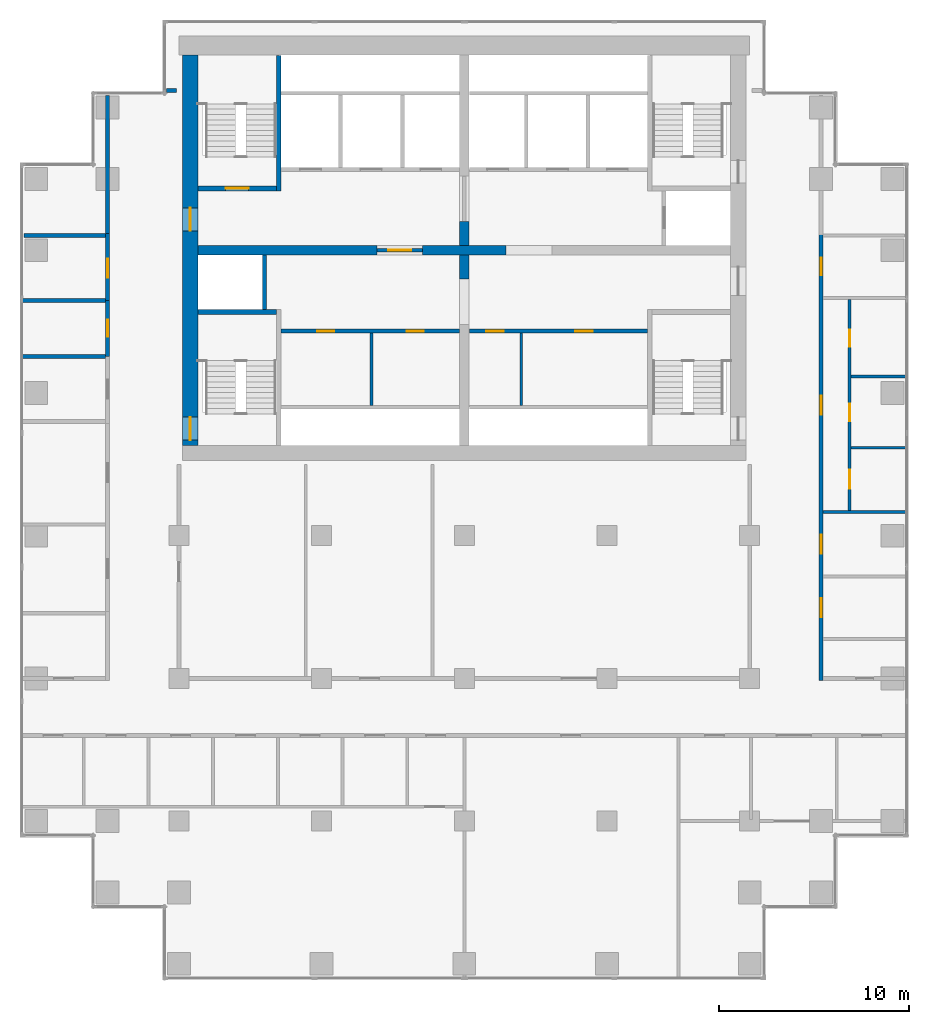
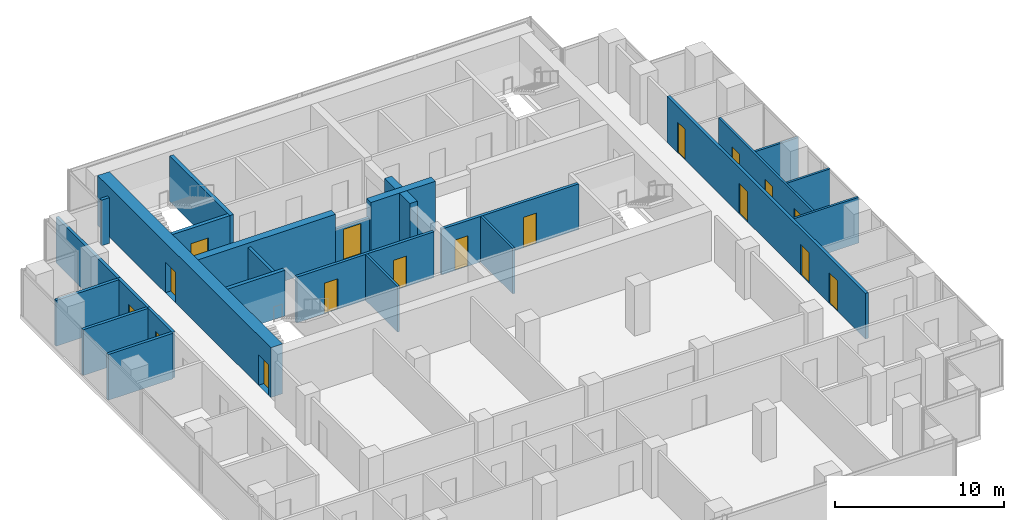
# One storey, part 8 of 11: 26 walls, 17 doors, 17 openings.
"""IFC4 building model written with IfcOpenShell, lengths in metres."""

from ifc_helpers import new_model, si_unit, direction, frame, frame_2d, origin, place, context, subcontext, project, spatial, rectangle, extrude, material, layer, layer_set, type_object, element, fill, save


model = new_model("IFC4")

# Units and contexts
model_context = context("Model", 3, precision=1e-05, world=origin(), true_north=direction((0.0, 1.0)))
body_context = subcontext(model_context, "Body", "Model", "MODEL_VIEW")
ifc_project = project(units=[si_unit("LENGTHUNIT", "METRE"), si_unit("AREAUNIT", "SQUARE_METRE"), si_unit("VOLUMEUNIT", "CUBIC_METRE"), si_unit("PLANEANGLEUNIT", "RADIAN"), si_unit("MASSUNIT", "GRAM", prefix="KILO")], contexts=[model_context])

# Site, building, storey
site_placement = place(None, origin())
site = spatial("IfcSite", under=ifc_project, at=site_placement, CompositionType="ELEMENT")
building_placement = place(site_placement, origin())
building = spatial("IfcBuilding", under=site, at=building_placement, Name="Pilkhan Gate Tower", CompositionType="ELEMENT")
storey_placement = place(building_placement, frame((0.0, 0.0, 151.300048828125)))
storey = spatial("IfcBuildingStorey", under=building, at=storey_placement, Name="L38", CompositionType="ELEMENT", Elevation=151.300048828125)

# Wall, openings, doors
ifc_material_1 = material(Name="Concrete C60/75", Category="concrete")
ifc_layer_1 = layer(ifc_material_1, 0.800048828125)
ifc_layer_set_1 = layer_set([ifc_layer_1], Name="Core wall CW800 C60/75")
wall_type_1 = type_object("IfcWallType", Name="Core wall CW800 C60/75", PredefinedType="SHEAR", material=ifc_layer_set_1)
wall_1_placement = place(storey_placement, frame((60.60009765625, 92.75, 0.0), z_axis=(0.0, 0.0, 1.0), x_axis=(0.0, -1.0, 0.0)))
wall_1 = element("IfcWall", 1, at=wall_1_placement, inside=storey, type_object=wall_type_1, Name="Core wall W L38", PredefinedType="SHEAR", context=body_context, shape_type="SweptSolid", body=[
    extrude(rectangle(XDim=20.5, YDim=0.800048828125, at=frame_2d((10.25, 0.0))), origin(), (0.0, 0.0, 1.0), 3.599853515625),
])
opening_1_placement = place(wall_1_placement, frame((19.02490234375, 0.0, 0.0)))
opening_1 = element("IfcOpeningElement", 2, at=opening_1_placement, cuts=wall_1, Name="Opening L38-04", PredefinedType="OPENING", context=body_context, shape_type="SweptSolid", body=[
    extrude(rectangle(XDim=1.199951171875, YDim=2.199951171875, at=frame_2d((0.60009765625, 1.10009765625))), frame((0.0, 0.409912109375, 0.0), z_axis=(0.0, -1.0, 0.0), x_axis=(1.0, 0.0, 0.0)), (0.0, 0.0, 1.0), 0.820068359375),
])
opening_2_placement = place(wall_1_placement, frame((8.02490234375, 0.0, 0.0)))
opening_2 = element("IfcOpeningElement", 3, at=opening_2_placement, cuts=wall_1, Name="Opening L38-14", PredefinedType="OPENING", context=body_context, shape_type="SweptSolid", body=[
    extrude(rectangle(XDim=1.199951171875, YDim=2.199951171875, at=frame_2d((0.60009765625, 1.10009765625))), frame((0.0, 0.409912109375, 0.0), z_axis=(0.0, -1.0, 0.0), x_axis=(1.0, 0.0, 0.0)), (0.0, 0.0, 1.0), 0.820068359375),
])
ifc_material_2 = material(Name="Steel door, 120 minute fire resisting, self-closing", Category="steel")
door_type_1 = type_object("IfcDoorType", Name="Firefighting lobby door D10 1200x2200", OperationType="SINGLE_SWING_LEFT", PredefinedType="DOOR", material=ifc_material_2)
door_1_placement = place(opening_2_placement, origin())
door_1 = element("IfcDoor", 4, at=door_1_placement, inside=storey, type_object=door_type_1, Name="Core door", OperationType="SINGLE_SWING_RIGHT", OverallHeight=2.199951171875, OverallWidth=1.199951171875, PredefinedType="DOOR", context=body_context, shape_type="SweptSolid", body=[
    extrude(rectangle(XDim=1.199951171875, YDim=2.199951171875, at=frame_2d((0.60009765625, 1.10009765625))), frame((0.0, 0.02490234375, 0.0), z_axis=(0.0, -1.0, 0.0), x_axis=(1.0, 0.0, 0.0)), (0.0, 0.0, 1.0), 0.050048828125),
])
fill(opening_2, door_1)
ifc_material_3 = material(Name="Steel door, 120 minute fire resisting, panic bar", Category="steel")
door_type_2 = type_object("IfcDoorType", Name="Stair door D11 1200x2200", OperationType="SINGLE_SWING_LEFT", PredefinedType="DOOR", material=ifc_material_3)
door_2_placement = place(opening_1_placement, origin())
door_2 = element("IfcDoor", 5, at=door_2_placement, inside=storey, type_object=door_type_2, Name="Stair ST2 door", OperationType="SINGLE_SWING_RIGHT", OverallHeight=2.199951171875, OverallWidth=1.199951171875, PredefinedType="DOOR", context=body_context, shape_type="SweptSolid", body=[
    extrude(rectangle(XDim=1.199951171875, YDim=2.199951171875, at=frame_2d((0.60009765625, 1.10009765625))), frame((0.0, 0.02490234375, 0.0), z_axis=(0.0, -1.0, 0.0), x_axis=(1.0, 0.0, 0.0)), (0.0, 0.0, 1.0), 0.050048828125),
])
fill(opening_1, door_2)

# Wall
ifc_material_4 = material(Name="Dense blockwork", Category="masonry")
ifc_layer_2 = layer(ifc_material_4, 0.199951171875)
ifc_layer_set_2 = layer_set([ifc_layer_2], Name="Corridor wall FW200")
wall_type_2 = type_object("IfcWallType", Name="Corridor wall FW200", PredefinedType="PARTITIONING", material=ifc_layer_set_2)
wall_2_placement = place(storey_placement, frame((59.35498046875, 90.89990234375, 0.0), z_axis=(0.0, 0.0, 1.0), x_axis=(1.0, 0.0, 0.0)))
element("IfcWall", 6, at=wall_2_placement, inside=storey, type_object=wall_type_2, Name="Partition L38", PredefinedType="PARTITIONING", context=body_context, shape_type="SweptSolid", body=[
    extrude(rectangle(XDim=0.52490234375, YDim=0.199951171875, at=frame_2d((0.262451171875, 0.0))), origin(), (0.0, 0.0, 1.0), 3.300048828125),
])

# Wall, opening, door
wall_3_placement = place(storey_placement, frame((56.25, 76.910888671875, 0.0), z_axis=(0.0, 0.0, 1.0), x_axis=(0.0, 1.0, 0.0)))
wall_3 = element("IfcWall", 7, at=wall_3_placement, inside=storey, type_object=wall_type_2, Name="Partition L38", PredefinedType="PARTITIONING", context=body_context, shape_type="SweptSolid", body=[
    extrude(rectangle(XDim=2.951171875, YDim=0.199951171875, at=frame_2d((1.4755859375, 0.0))), origin(), (0.0, 0.0, 1.0), 3.300048828125),
])
opening_3_placement = place(wall_3_placement, frame((1.050048828125, 0.0, 0.0)))
opening_3 = element("IfcOpeningElement", 8, at=opening_3_placement, cuts=wall_3, Name="Opening L38-32", PredefinedType="OPENING", context=body_context, shape_type="SweptSolid", body=[
    extrude(rectangle(XDim=0.89990234375, YDim=2.199951171875, at=frame_2d((0.449951171875, 1.10009765625))), frame((0.0, 0.10986328125, 0.0), z_axis=(0.0, -1.0, 0.0), x_axis=(1.0, 0.0, 0.0)), (0.0, 0.0, 1.0), 0.219970703125),
])
ifc_material_5 = material(Name="Timber flush door, 60 minute fire resisting, self-closing", Category="wood")
door_type_3 = type_object("IfcDoorType", Name="Store door D05 900x2200", OperationType="SINGLE_SWING_LEFT", PredefinedType="DOOR", material=ifc_material_5)
door_3_placement = place(opening_3_placement, origin())
door_3 = element("IfcDoor", 9, at=door_3_placement, inside=storey, type_object=door_type_3, Name="Store door", OperationType="SINGLE_SWING_LEFT", OverallHeight=2.199951171875, OverallWidth=0.89990234375, PredefinedType="DOOR", context=body_context, shape_type="SweptSolid", body=[
    extrude(rectangle(XDim=0.89990234375, YDim=2.199951171875, at=frame_2d((0.449951171875, 1.10009765625))), frame((0.0, 0.02490234375, 0.0), z_axis=(0.0, -1.0, 0.0), x_axis=(1.0, 0.0, 0.0)), (0.0, 0.0, 1.0), 0.050048828125),
])
fill(opening_3, door_3)

# Wall
wall_4_placement = place(storey_placement, frame((56.25, 83.31005859375, 0.0), z_axis=(0.0, 0.0, 1.0), x_axis=(0.0, 1.0, 0.0)))
element("IfcWall", 10, at=wall_4_placement, inside=storey, type_object=wall_type_2, Name="Partition L38", PredefinedType="PARTITIONING", context=body_context, shape_type="SweptSolid", body=[
    extrude(rectangle(XDim=7.3349609375, YDim=0.199951171875, at=frame_2d((3.66748046875, 0.0))), origin(), (0.0, 0.0, 1.0), 3.300048828125),
])

# Wall, openings, doors
wall_5_placement = place(storey_placement, frame((93.75, 59.89990234375, 0.0), z_axis=(0.0, 0.0, 1.0), x_axis=(0.0, 1.0, 0.0)))
wall_5 = element("IfcWall", 11, at=wall_5_placement, inside=storey, type_object=wall_type_2, Name="Partition L38", PredefinedType="PARTITIONING", context=body_context, shape_type="SweptSolid", body=[
    extrude(rectangle(XDim=23.455078125, YDim=0.199951171875, at=frame_2d((11.7275390625, 0.0))), origin(), (0.0, 0.0, 1.0), 3.300048828125),
])
opening_4_placement = place(wall_5_placement, frame((13.949951171875, 0.0, 0.0)))
opening_4 = element("IfcOpeningElement", 12, at=opening_4_placement, cuts=wall_5, Name="Opening L38-11", PredefinedType="OPENING", context=body_context, shape_type="SweptSolid", body=[
    extrude(rectangle(XDim=1.0, YDim=2.199951171875, at=frame_2d((0.5, 1.10009765625))), frame((0.0, 0.10986328125, 0.0), z_axis=(0.0, -1.0, 0.0), x_axis=(1.0, 0.0, 0.0)), (0.0, 0.0, 1.0), 0.219970703125),
])
opening_5_placement = place(wall_5_placement, frame((6.64599609375, 0.0, 0.0)))
opening_5 = element("IfcOpeningElement", 13, at=opening_5_placement, cuts=wall_5, Name="Opening L38-12", PredefinedType="OPENING", context=body_context, shape_type="SweptSolid", body=[
    extrude(rectangle(XDim=1.0, YDim=2.199951171875, at=frame_2d((0.5, 1.10009765625))), frame((0.0, 0.10986328125, 0.0), z_axis=(0.0, -1.0, 0.0), x_axis=(1.0, 0.0, 0.0)), (0.0, 0.0, 1.0), 0.219970703125),
])
opening_6_placement = place(wall_5_placement, frame((3.318115234375, 0.0, 0.0)))
opening_6 = element("IfcOpeningElement", 14, at=opening_6_placement, cuts=wall_5, Name="Opening L38-37", PredefinedType="OPENING", context=body_context, shape_type="SweptSolid", body=[
    extrude(rectangle(XDim=1.0, YDim=2.199951171875, at=frame_2d((0.5, 1.10009765625))), frame((0.0, 0.10986328125, 0.0), z_axis=(0.0, -1.0, 0.0), x_axis=(1.0, 0.0, 0.0)), (0.0, 0.0, 1.0), 0.219970703125),
])
opening_7_placement = place(wall_5_placement, frame((21.300048828125, 0.0, 0.0)))
opening_7 = element("IfcOpeningElement", 15, at=opening_7_placement, cuts=wall_5, Name="Opening L38-38", PredefinedType="OPENING", context=body_context, shape_type="SweptSolid", body=[
    extrude(rectangle(XDim=0.89990234375, YDim=2.199951171875, at=frame_2d((0.449951171875, 1.10009765625))), frame((0.0, 0.10986328125, 0.0), z_axis=(0.0, -1.0, 0.0), x_axis=(1.0, 0.0, 0.0)), (0.0, 0.0, 1.0), 0.219970703125),
])
ifc_material_6 = material(Name="Timber flush door, 30 minute fire resisting", Category="wood")
door_type_4 = type_object("IfcDoorType", Name="Room door D03 1000x2200", OperationType="SINGLE_SWING_LEFT", PredefinedType="DOOR", material=ifc_material_6)
door_4_placement = place(opening_4_placement, origin())
door_4 = element("IfcDoor", 16, at=door_4_placement, inside=storey, type_object=door_type_4, Name="Toilet lobby door", OperationType="SINGLE_SWING_LEFT", OverallHeight=2.199951171875, OverallWidth=1.0, PredefinedType="DOOR", context=body_context, shape_type="SweptSolid", body=[
    extrude(rectangle(XDim=1.0, YDim=2.199951171875, at=frame_2d((0.5, 1.10009765625))), frame((0.0, 0.02490234375, 0.0), z_axis=(0.0, -1.0, 0.0), x_axis=(1.0, 0.0, 0.0)), (0.0, 0.0, 1.0), 0.050048828125),
])
fill(opening_4, door_4)
door_5_placement = place(opening_5_placement, origin())
door_5 = element("IfcDoor", 17, at=door_5_placement, inside=storey, type_object=door_type_4, Name="Room door", OperationType="SINGLE_SWING_RIGHT", OverallHeight=2.199951171875, OverallWidth=1.0, PredefinedType="DOOR", context=body_context, shape_type="SweptSolid", body=[
    extrude(rectangle(XDim=1.0, YDim=2.199951171875, at=frame_2d((0.5, 1.10009765625))), frame((0.0, 0.02490234375, 0.0), z_axis=(0.0, -1.0, 0.0), x_axis=(1.0, 0.0, 0.0)), (0.0, 0.0, 1.0), 0.050048828125),
])
fill(opening_5, door_5)
door_6_placement = place(opening_6_placement, origin())
door_6 = element("IfcDoor", 18, at=door_6_placement, inside=storey, type_object=door_type_4, Name="Room door", OperationType="SINGLE_SWING_RIGHT", OverallHeight=2.199951171875, OverallWidth=1.0, PredefinedType="DOOR", context=body_context, shape_type="SweptSolid", body=[
    extrude(rectangle(XDim=1.0, YDim=2.199951171875, at=frame_2d((0.5, 1.10009765625))), frame((0.0, 0.02490234375, 0.0), z_axis=(0.0, -1.0, 0.0), x_axis=(1.0, 0.0, 0.0)), (0.0, 0.0, 1.0), 0.050048828125),
])
fill(opening_6, door_6)
door_7_placement = place(opening_7_placement, origin())
door_7 = element("IfcDoor", 19, at=door_7_placement, inside=storey, type_object=door_type_3, Name="Store door", OperationType="SINGLE_SWING_RIGHT", OverallHeight=2.199951171875, OverallWidth=0.89990234375, PredefinedType="DOOR", context=body_context, shape_type="SweptSolid", body=[
    extrude(rectangle(XDim=0.89990234375, YDim=2.199951171875, at=frame_2d((0.449951171875, 1.10009765625))), frame((0.0, 0.02490234375, 0.0), z_axis=(0.0, -1.0, 0.0), x_axis=(1.0, 0.0, 0.0)), (0.0, 0.0, 1.0), 0.050048828125),
])
fill(opening_7, door_7)

# Wall
ifc_layer_3 = layer(ifc_material_4, 0.199951171875)
ifc_layer_set_3 = layer_set([ifc_layer_3], Name="Lobby wall LW200")
wall_type_3 = type_object("IfcWallType", Name="Lobby wall LW200", PredefinedType="PARTITIONING", material=ifc_layer_set_3)
wall_6_placement = place(storey_placement, frame((51.735107421875, 76.910888671875, 0.0), z_axis=(0.0, 0.0, 1.0), x_axis=(1.0, 0.0, 0.0)))
element("IfcWall", 20, at=wall_6_placement, inside=storey, type_object=wall_type_3, Name="Partition L38", PredefinedType="PARTITIONING", context=body_context, shape_type="SweptSolid", body=[
    extrude(rectangle(XDim=4.414794921875, YDim=0.199951171875, at=frame_2d((2.20751953125, 0.0))), origin(), (0.0, 0.0, 1.0), 3.300048828125),
])

# Wall, openings, doors
wall_7_placement = place(storey_placement, frame((65.375, 78.25, 0.0), z_axis=(0.0, 0.0, 1.0), x_axis=(1.0, 0.0, 0.0)))
wall_7 = element("IfcWall", 21, at=wall_7_placement, inside=storey, type_object=wall_type_3, Name="Partition L38", PredefinedType="PARTITIONING", context=body_context, shape_type="SweptSolid", body=[
    extrude(rectangle(XDim=9.364990234375, YDim=0.199951171875, at=frame_2d((4.6826171875, 0.0))), origin(), (0.0, 0.0, 1.0), 3.300048828125),
])
opening_8_placement = place(wall_7_placement, frame((1.89990234375, 0.0, 0.0)))
opening_8 = element("IfcOpeningElement", 22, at=opening_8_placement, cuts=wall_7, Name="Opening L38-15", PredefinedType="OPENING", context=body_context, shape_type="SweptSolid", body=[
    extrude(rectangle(XDim=0.89990234375, YDim=2.199951171875, at=frame_2d((0.449951171875, 1.10009765625))), frame((0.0, 0.10986328125, 0.0), z_axis=(0.0, -1.0, 0.0), x_axis=(1.0, 0.0, 0.0)), (0.0, 0.0, 1.0), 0.219970703125),
])
opening_9_placement = place(wall_7_placement, frame((6.60009765625, 0.0, 0.0)))
opening_9 = element("IfcOpeningElement", 23, at=opening_9_placement, cuts=wall_7, Name="Opening L38-16", PredefinedType="OPENING", context=body_context, shape_type="SweptSolid", body=[
    extrude(rectangle(XDim=0.89990234375, YDim=2.199951171875, at=frame_2d((0.449951171875, 1.10009765625))), frame((0.0, 0.10986328125, 0.0), z_axis=(0.0, -1.0, 0.0), x_axis=(1.0, 0.0, 0.0)), (0.0, 0.0, 1.0), 0.219970703125),
])
door_8_placement = place(opening_8_placement, origin())
door_8 = element("IfcDoor", 24, at=door_8_placement, inside=storey, type_object=door_type_3, Name="Store door", OperationType="SINGLE_SWING_LEFT", OverallHeight=2.199951171875, OverallWidth=0.89990234375, PredefinedType="DOOR", context=body_context, shape_type="SweptSolid", body=[
    extrude(rectangle(XDim=0.89990234375, YDim=2.199951171875, at=frame_2d((0.449951171875, 1.10009765625))), frame((0.0, 0.02490234375, 0.0), z_axis=(0.0, -1.0, 0.0), x_axis=(1.0, 0.0, 0.0)), (0.0, 0.0, 1.0), 0.050048828125),
])
fill(opening_8, door_8)
door_9_placement = place(opening_9_placement, origin())
door_9 = element("IfcDoor", 25, at=door_9_placement, inside=storey, type_object=door_type_3, Name="Store door", OperationType="SINGLE_SWING_RIGHT", OverallHeight=2.199951171875, OverallWidth=0.89990234375, PredefinedType="DOOR", context=body_context, shape_type="SweptSolid", body=[
    extrude(rectangle(XDim=0.89990234375, YDim=2.199951171875, at=frame_2d((0.449951171875, 1.10009765625))), frame((0.0, 0.02490234375, 0.0), z_axis=(0.0, -1.0, 0.0), x_axis=(1.0, 0.0, 0.0)), (0.0, 0.0, 1.0), 0.050048828125),
])
fill(opening_9, door_9)

wall_8_placement = place(storey_placement, frame((75.260009765625, 78.25, 0.0), z_axis=(0.0, 0.0, 1.0), x_axis=(1.0, 0.0, 0.0)))
wall_8 = element("IfcWall", 26, at=wall_8_placement, inside=storey, type_object=wall_type_3, Name="Partition L38", PredefinedType="PARTITIONING", context=body_context, shape_type="SweptSolid", body=[
    extrude(rectangle(XDim=9.364990234375, YDim=0.199951171875, at=frame_2d((4.6826171875, 0.0))), origin(), (0.0, 0.0, 1.0), 3.300048828125),
])
opening_10_placement = place(wall_8_placement, frame((0.89990234375, 0.0, 0.0)))
opening_10 = element("IfcOpeningElement", 27, at=opening_10_placement, cuts=wall_8, Name="Opening L38-17", PredefinedType="OPENING", context=body_context, shape_type="SweptSolid", body=[
    extrude(rectangle(XDim=0.89990234375, YDim=2.199951171875, at=frame_2d((0.449951171875, 1.10009765625))), frame((0.0, 0.10986328125, 0.0), z_axis=(0.0, -1.0, 0.0), x_axis=(1.0, 0.0, 0.0)), (0.0, 0.0, 1.0), 0.219970703125),
])
opening_11_placement = place(wall_8_placement, frame((5.580078125, 0.0, 0.0)))
opening_11 = element("IfcOpeningElement", 28, at=opening_11_placement, cuts=wall_8, Name="Opening L38-18", PredefinedType="OPENING", context=body_context, shape_type="SweptSolid", body=[
    extrude(rectangle(XDim=0.89990234375, YDim=2.199951171875, at=frame_2d((0.449951171875, 1.10009765625))), frame((0.0, 0.10986328125, 0.0), z_axis=(0.0, -1.0, 0.0), x_axis=(1.0, 0.0, 0.0)), (0.0, 0.0, 1.0), 0.219970703125),
])
door_10_placement = place(opening_10_placement, origin())
door_10 = element("IfcDoor", 29, at=door_10_placement, inside=storey, type_object=door_type_3, Name="Store door", OperationType="SINGLE_SWING_RIGHT", OverallHeight=2.199951171875, OverallWidth=0.89990234375, PredefinedType="DOOR", context=body_context, shape_type="SweptSolid", body=[
    extrude(rectangle(XDim=0.89990234375, YDim=2.199951171875, at=frame_2d((0.449951171875, 1.10009765625))), frame((0.0, 0.02490234375, 0.0), z_axis=(0.0, -1.0, 0.0), x_axis=(1.0, 0.0, 0.0)), (0.0, 0.0, 1.0), 0.050048828125),
])
fill(opening_10, door_10)
door_11_placement = place(opening_11_placement, origin())
door_11 = element("IfcDoor", 30, at=door_11_placement, inside=storey, type_object=door_type_3, Name="Store door", OperationType="SINGLE_SWING_LEFT", OverallHeight=2.199951171875, OverallWidth=0.89990234375, PredefinedType="DOOR", context=body_context, shape_type="SweptSolid", body=[
    extrude(rectangle(XDim=0.89990234375, YDim=2.199951171875, at=frame_2d((0.449951171875, 1.10009765625))), frame((0.0, 0.02490234375, 0.0), z_axis=(0.0, -1.0, 0.0), x_axis=(1.0, 0.0, 0.0)), (0.0, 0.0, 1.0), 0.050048828125),
])
fill(opening_11, door_11)

# Wall
wall_9_placement = place(storey_placement, frame((51.735107421875, 79.862060546875, 0.0), z_axis=(0.0, 0.0, 1.0), x_axis=(1.0, 0.0, 0.0)))
element("IfcWall", 31, at=wall_9_placement, inside=storey, type_object=wall_type_3, Name="Partition L38", PredefinedType="PARTITIONING", context=body_context, shape_type="SweptSolid", body=[
    extrude(rectangle(XDim=4.414794921875, YDim=0.199951171875, at=frame_2d((2.20751953125, 0.0))), origin(), (0.0, 0.0, 1.0), 3.300048828125),
])

# Wall, opening, door
wall_10_placement = place(storey_placement, frame((70.409912109375, 82.5, 0.0), z_axis=(0.0, 0.0, 1.0), x_axis=(1.0, 0.0, 0.0)))
wall_10 = element("IfcWall", 32, at=wall_10_placement, inside=storey, type_object=wall_type_3, Name="Partition L38", PredefinedType="PARTITIONING", context=body_context, shape_type="SweptSolid", body=[
    extrude(rectangle(XDim=2.380126953125, YDim=0.199951171875, at=frame_2d((1.18994140625, 0.0))), origin(), (0.0, 0.0, 1.0), 2.39990234375),
])
opening_12_placement = place(wall_10_placement, frame((0.60009765625, 0.0, 0.0)))
opening_12 = element("IfcOpeningElement", 33, at=opening_12_placement, cuts=wall_10, Name="Opening L38-01", PredefinedType="OPENING", context=body_context, shape_type="SweptSolid", body=[
    extrude(rectangle(XDim=1.199951171875, YDim=2.199951171875, at=frame_2d((0.60009765625, 1.10009765625))), frame((0.0, 0.10986328125, 0.0), z_axis=(0.0, -1.0, 0.0), x_axis=(1.0, 0.0, 0.0)), (0.0, 0.0, 1.0), 0.219970703125),
])
door_12_placement = place(opening_12_placement, origin())
door_12 = element("IfcDoor", 34, at=door_12_placement, inside=storey, type_object=door_type_1, Name="Firefighting lobby door", OperationType="SINGLE_SWING_RIGHT", OverallHeight=2.199951171875, OverallWidth=1.199951171875, PredefinedType="DOOR", context=body_context, shape_type="SweptSolid", body=[
    extrude(rectangle(XDim=1.199951171875, YDim=2.199951171875, at=frame_2d((0.60009765625, 1.10009765625))), frame((0.0, 0.02490234375, 0.0), z_axis=(0.0, -1.0, 0.0), x_axis=(1.0, 0.0, 0.0)), (0.0, 0.0, 1.0), 0.050048828125),
])
fill(opening_12, door_12)

# Wall
wall_11_placement = place(storey_placement, frame((51.85498046875, 83.280029296875, 0.0), z_axis=(0.0, 0.0, 1.0), x_axis=(1.0, 0.0, 0.0)))
element("IfcWall", 35, at=wall_11_placement, inside=storey, type_object=wall_type_3, Name="Partition L38", PredefinedType="PARTITIONING", context=body_context, shape_type="SweptSolid", body=[
    extrude(rectangle(XDim=4.294921875, YDim=0.199951171875, at=frame_2d((2.1474609375, 0.0))), origin(), (0.0, 0.0, 1.0), 3.300048828125),
])

# Wall, opening, door
wall_12_placement = place(storey_placement, frame((56.25, 79.761962890625, 0.0), z_axis=(0.0, 0.0, 1.0), x_axis=(0.0, 1.0, 0.0)))
wall_12 = element("IfcWall", 36, at=wall_12_placement, inside=storey, type_object=wall_type_3, Name="Partition L38", PredefinedType="PARTITIONING", context=body_context, shape_type="SweptSolid", body=[
    extrude(rectangle(XDim=3.617919921875, YDim=0.199951171875, at=frame_2d((1.80908203125, 0.0))), origin(), (0.0, 0.0, 1.0), 3.300048828125),
])
opening_13_placement = place(wall_12_placement, frame((1.300048828125, 0.0, 0.0)))
opening_13 = element("IfcOpeningElement", 37, at=opening_13_placement, cuts=wall_12, Name="Opening L38-10", PredefinedType="OPENING", context=body_context, shape_type="SweptSolid", body=[
    extrude(rectangle(XDim=1.0, YDim=2.199951171875, at=frame_2d((0.5, 1.10009765625))), frame((0.0, 0.10986328125, 0.0), z_axis=(0.0, -1.0, 0.0), x_axis=(1.0, 0.0, 0.0)), (0.0, 0.0, 1.0), 0.219970703125),
])
door_13_placement = place(opening_13_placement, origin())
door_13 = element("IfcDoor", 38, at=door_13_placement, inside=storey, type_object=door_type_4, Name="Room door", OperationType="SINGLE_SWING_LEFT", OverallHeight=2.199951171875, OverallWidth=1.0, PredefinedType="DOOR", context=body_context, shape_type="SweptSolid", body=[
    extrude(rectangle(XDim=1.0, YDim=2.199951171875, at=frame_2d((0.5, 1.10009765625))), frame((0.0, 0.02490234375, 0.0), z_axis=(0.0, -1.0, 0.0), x_axis=(1.0, 0.0, 0.0)), (0.0, 0.0, 1.0), 0.050048828125),
])
fill(opening_13, door_13)

# Walls
ifc_material_7 = material(Name="Blockwork partition, plastered both sides", Category="masonry")
ifc_layer_4 = layer(ifc_material_7, 0.14990234375)
ifc_layer_set_4 = layer_set([ifc_layer_4], Name="Partition PW150")
wall_type_4 = type_object("IfcWallType", Name="Partition PW150", PredefinedType="PARTITIONING", material=ifc_layer_set_4)
wall_13_placement = place(storey_placement, frame((93.85009765625, 68.75, 0.0), z_axis=(0.0, 0.0, 1.0), x_axis=(1.0, 0.0, 0.0)))
element("IfcWall", 39, at=wall_13_placement, inside=storey, type_object=wall_type_4, Name="Partition L38", PredefinedType="PARTITIONING", context=body_context, shape_type="SweptSolid", body=[
    extrude(rectangle(XDim=4.414794921875, YDim=0.14990234375, at=frame_2d((2.20751953125, 0.0))), origin(), (0.0, 0.0, 1.0), 3.300048828125),
])
for number, where, z_axis, x_axis, name in (
    (40, (95.324951171875, 72.125, 0.0), (0.0, 0.0, 1.0), (1.0, 0.0, 0.0), "Partition L38"),
    (41, (95.324951171875, 75.875, 0.0), (0.0, 0.0, 1.0), (1.0, 0.0, 0.0), "Partition L38"),
):
    element("IfcWall", number, at=place(storey_placement, frame(where, z_axis=z_axis, x_axis=x_axis)), inside=storey, type_object=wall_type_4, Name=name, PredefinedType="PARTITIONING", context=body_context, shape_type="SweptSolid", body=[
        extrude(rectangle(XDim=2.93994140625, YDim=0.14990234375, at=frame_2d((1.469970703125, 0.0))), origin(), (0.0, 0.0, 1.0), 3.300048828125),
    ])
for number, where, z_axis, x_axis, name in (
    (42, (70.125, 74.35009765625, 0.0), (0.0, 0.0, 1.0), (0.0, 1.0, 0.0), "Partition L38"),
    (43, (77.989990234375, 74.35009765625, 0.0), (0.0, 0.0, 1.0), (0.0, 1.0, 0.0), "Partition L38"),
):
    element("IfcWall", number, at=place(storey_placement, frame(where, z_axis=z_axis, x_axis=x_axis)), inside=storey, type_object=wall_type_4, Name=name, PredefinedType="PARTITIONING", context=body_context, shape_type="SweptSolid", body=[
        extrude(rectangle(XDim=3.7998046875, YDim=0.14990234375, at=frame_2d((1.89990234375, 0.0))), origin(), (0.0, 0.0, 1.0), 3.300048828125),
    ])

# Wall, openings, doors
wall_14_placement = place(storey_placement, frame((95.25, 68.824951171875, 0.0), z_axis=(0.0, 0.0, 1.0), x_axis=(0.0, 1.0, 0.0)))
wall_14 = element("IfcWall", 44, at=wall_14_placement, inside=storey, type_object=wall_type_4, Name="Partition L38", PredefinedType="PARTITIONING", context=body_context, shape_type="SweptSolid", body=[
    extrude(rectangle(XDim=11.10009765625, YDim=0.14990234375, at=frame_2d((5.550048828125, 0.0))), origin(), (0.0, 0.0, 1.0), 3.300048828125),
])
opening_14_placement = place(wall_14_placement, frame((1.14990234375, 0.0, 0.0)))
opening_14 = element("IfcOpeningElement", 45, at=opening_14_placement, cuts=wall_14, Name="Opening L38-33", PredefinedType="OPENING", context=body_context, shape_type="SweptSolid", body=[
    extrude(rectangle(XDim=1.0, YDim=2.199951171875, at=frame_2d((0.5, 1.10009765625))), frame((0.0, 0.0849609375, 0.0), z_axis=(0.0, -1.0, 0.0), x_axis=(1.0, 0.0, 0.0)), (0.0, 0.0, 1.0), 0.169921875),
])
opening_15_placement = place(wall_14_placement, frame((4.699951171875, 0.0, 0.0)))
opening_15 = element("IfcOpeningElement", 46, at=opening_15_placement, cuts=wall_14, Name="Opening L38-34", PredefinedType="OPENING", context=body_context, shape_type="SweptSolid", body=[
    extrude(rectangle(XDim=0.89990234375, YDim=2.199951171875, at=frame_2d((0.449951171875, 1.10009765625))), frame((0.0, 0.0849609375, 0.0), z_axis=(0.0, -1.0, 0.0), x_axis=(1.0, 0.0, 0.0)), (0.0, 0.0, 1.0), 0.169921875),
])
opening_16_placement = place(wall_14_placement, frame((8.60009765625, 0.0, 0.0)))
opening_16 = element("IfcOpeningElement", 47, at=opening_16_placement, cuts=wall_14, Name="Opening L38-35", PredefinedType="OPENING", context=body_context, shape_type="SweptSolid", body=[
    extrude(rectangle(XDim=0.89990234375, YDim=2.199951171875, at=frame_2d((0.449951171875, 1.10009765625))), frame((0.0, 0.0849609375, 0.0), z_axis=(0.0, -1.0, 0.0), x_axis=(1.0, 0.0, 0.0)), (0.0, 0.0, 1.0), 0.169921875),
])
ifc_material_8 = material(Name="Timber flush door, outward opening, 30 minute fire resisting", Category="wood")
door_type_5 = type_object("IfcDoorType", Name="Accessible toilet door D07 1000x2200", OperationType="SINGLE_SWING_LEFT", PredefinedType="DOOR", material=ifc_material_8)
door_14_placement = place(opening_14_placement, origin())
door_14 = element("IfcDoor", 48, at=door_14_placement, inside=storey, type_object=door_type_5, Name="Accessible toilet door", OperationType="SINGLE_SWING_RIGHT", OverallHeight=2.199951171875, OverallWidth=1.0, PredefinedType="DOOR", context=body_context, shape_type="SweptSolid", body=[
    extrude(rectangle(XDim=1.0, YDim=2.199951171875, at=frame_2d((0.5, 1.10009765625))), frame((0.0, 0.02490234375, 0.0), z_axis=(0.0, -1.0, 0.0), x_axis=(1.0, 0.0, 0.0)), (0.0, 0.0, 1.0), 0.050048828125),
])
fill(opening_14, door_14)
door_type_6 = type_object("IfcDoorType", Name="Toilet door D06 900x2200", OperationType="SINGLE_SWING_LEFT", PredefinedType="DOOR", material=ifc_material_6)
door_15_placement = place(opening_15_placement, origin())
door_15 = element("IfcDoor", 49, at=door_15_placement, inside=storey, type_object=door_type_6, Name="Toilet door", OperationType="SINGLE_SWING_LEFT", OverallHeight=2.199951171875, OverallWidth=0.89990234375, PredefinedType="DOOR", context=body_context, shape_type="SweptSolid", body=[
    extrude(rectangle(XDim=0.89990234375, YDim=2.199951171875, at=frame_2d((0.449951171875, 1.10009765625))), frame((0.0, 0.02490234375, 0.0), z_axis=(0.0, -1.0, 0.0), x_axis=(1.0, 0.0, 0.0)), (0.0, 0.0, 1.0), 0.050048828125),
])
fill(opening_15, door_15)
door_16_placement = place(opening_16_placement, origin())
door_16 = element("IfcDoor", 50, at=door_16_placement, inside=storey, type_object=door_type_6, Name="Toilet door", OperationType="SINGLE_SWING_LEFT", OverallHeight=2.199951171875, OverallWidth=0.89990234375, PredefinedType="DOOR", context=body_context, shape_type="SweptSolid", body=[
    extrude(rectangle(XDim=0.89990234375, YDim=2.199951171875, at=frame_2d((0.449951171875, 1.10009765625))), frame((0.0, 0.02490234375, 0.0), z_axis=(0.0, -1.0, 0.0), x_axis=(1.0, 0.0, 0.0)), (0.0, 0.0, 1.0), 0.050048828125),
])
fill(opening_16, door_16)

# Walls
ifc_material_9 = material(Name="Reinforced blockwork shaft wall, 120 minute fire resisting", Category="masonry")
ifc_layer_5 = layer(ifc_material_9, 0.199951171875)
ifc_layer_set_5 = layer_set([ifc_layer_5], Name="Shaft wall SW200")
wall_type_5 = type_object("IfcWallType", Name="Shaft wall SW200", PredefinedType="PARTITIONING", material=ifc_layer_set_5)
wall_15_placement = place(storey_placement, frame((64.5, 79.375, 0.0), z_axis=(0.0, 0.0, 1.0), x_axis=(0.0, 1.0, 0.0)))
element("IfcWall", 51, at=wall_15_placement, inside=storey, type_object=wall_type_5, Name="Partition L38", PredefinedType="PARTITIONING", context=body_context, shape_type="SweptSolid", body=[
    extrude(rectangle(XDim=2.864990234375, YDim=0.199951171875, at=frame_2d((1.4326171875, 0.0))), origin(), (0.0, 0.0, 1.0), 3.300048828125),
])
ifc_layer_6 = layer(ifc_material_1, 0.5)
ifc_layer_set_6 = layer_set([ifc_layer_6], Name="Spine wall SW500 C60/75")
wall_type_6 = type_object("IfcWallType", Name="Spine wall SW500 C60/75", PredefinedType="SHEAR", material=ifc_layer_set_6)
wall_16_placement = place(storey_placement, frame((61.0, 82.5, 0.0), z_axis=(0.0, 0.0, 1.0), x_axis=(1.0, 0.0, 0.0)))
element("IfcWall", 52, at=wall_16_placement, inside=storey, type_object=wall_type_6, Name="Spine wall SP-EW1 L38", PredefinedType="SHEAR", context=body_context, shape_type="SweptSolid", body=[
    extrude(rectangle(XDim=9.39990234375, YDim=0.5, at=frame_2d((4.699951171875, 0.0))), origin(), (0.0, 0.0, 1.0), 3.599853515625),
])
wall_17_placement = place(storey_placement, frame((72.800048828125, 82.5, 0.0), z_axis=(0.0, 0.0, 1.0), x_axis=(1.0, 0.0, 0.0)))
element("IfcWall", 53, at=wall_17_placement, inside=storey, type_object=wall_type_6, Name="Spine wall SP-EW2 L38", PredefinedType="SHEAR", context=body_context, shape_type="SweptSolid", body=[
    extrude(rectangle(XDim=4.39990234375, YDim=0.5, at=frame_2d((2.199951171875, 0.0))), origin(), (0.0, 0.0, 1.0), 3.599853515625),
])
for number, where, z_axis, x_axis, name in (
    (54, (75.0, 81.0, 0.0), (0.0, 0.0, 1.0), (0.0, 1.0, 0.0), "Spine wall SP-NS-S2 L38"),
    (55, (75.0, 82.75, 0.0), (0.0, 0.0, 1.0), (0.0, 1.0, 0.0), "Spine wall SP-NS-N1 L38"),
):
    element("IfcWall", number, at=place(storey_placement, frame(where, z_axis=z_axis, x_axis=x_axis)), inside=storey, type_object=wall_type_6, Name=name, PredefinedType="SHEAR", context=body_context, shape_type="SweptSolid", body=[
        extrude(rectangle(XDim=1.25, YDim=0.5, at=frame_2d((0.625, 0.0))), origin(), (0.0, 0.0, 1.0), 3.599853515625),
    ])
ifc_material_10 = material(Name="Reinforced blockwork, 120 minute fire resisting", Category="masonry")
ifc_layer_7 = layer(ifc_material_10, 0.25)
ifc_layer_set_7 = layer_set([ifc_layer_7], Name="Stair enclosure wall SE250")
wall_type_7 = type_object("IfcWallType", Name="Stair enclosure wall SE250", PredefinedType="PARTITIONING", material=ifc_layer_set_7)
wall_18_placement = place(storey_placement, frame((61.010009765625, 79.25, 0.0), z_axis=(0.0, 0.0, 1.0), x_axis=(1.0, 0.0, 0.0)))
element("IfcWall", 56, at=wall_18_placement, inside=storey, type_object=wall_type_7, Name="Partition L38", PredefinedType="PARTITIONING", context=body_context, shape_type="SweptSolid", body=[
    extrude(rectangle(XDim=4.114990234375, YDim=0.25, at=frame_2d((2.0576171875, 0.0))), origin(), (0.0, 0.0, 1.0), 3.300048828125),
])

# Wall, opening, door
wall_19_placement = place(storey_placement, frame((61.010009765625, 85.75, 0.0), z_axis=(0.0, 0.0, 1.0), x_axis=(1.0, 0.0, 0.0)))
wall_19 = element("IfcWall", 57, at=wall_19_placement, inside=storey, type_object=wall_type_7, Name="Partition L38", PredefinedType="PARTITIONING", context=body_context, shape_type="SweptSolid", body=[
    extrude(rectangle(XDim=4.114990234375, YDim=0.25, at=frame_2d((2.0576171875, 0.0))), origin(), (0.0, 0.0, 1.0), 3.300048828125),
])
opening_17_placement = place(wall_19_placement, frame((1.449951171875, 0.0, 0.0)))
opening_17 = element("IfcOpeningElement", 58, at=opening_17_placement, cuts=wall_19, Name="Opening L38-02", PredefinedType="OPENING", context=body_context, shape_type="SweptSolid", body=[
    extrude(rectangle(XDim=1.199951171875, YDim=2.199951171875, at=frame_2d((0.60009765625, 1.10009765625))), frame((0.0, 0.135009765625, 0.0), z_axis=(0.0, -1.0, 0.0), x_axis=(1.0, 0.0, 0.0)), (0.0, 0.0, 1.0), 0.27001953125),
])
door_17_placement = place(opening_17_placement, origin())
door_17 = element("IfcDoor", 59, at=door_17_placement, inside=storey, type_object=door_type_2, Name="Stair ST3 lobby door", OperationType="SINGLE_SWING_LEFT", OverallHeight=2.199951171875, OverallWidth=1.199951171875, PredefinedType="DOOR", context=body_context, shape_type="SweptSolid", body=[
    extrude(rectangle(XDim=1.199951171875, YDim=2.199951171875, at=frame_2d((0.60009765625, 1.10009765625))), frame((0.0, 0.02490234375, 0.0), z_axis=(0.0, -1.0, 0.0), x_axis=(1.0, 0.0, 0.0)), (0.0, 0.0, 1.0), 0.050048828125),
])
fill(opening_17, door_17)

# Wall
wall_20_placement = place(storey_placement, frame((65.25, 85.625, 0.0), z_axis=(0.0, 0.0, 1.0), x_axis=(0.0, 1.0, 0.0)))
element("IfcWall", 60, at=wall_20_placement, inside=storey, type_object=wall_type_7, Name="Partition L38", PredefinedType="PARTITIONING", context=body_context, shape_type="SweptSolid", body=[
    extrude(rectangle(XDim=7.114990234375, YDim=0.25, at=frame_2d((3.5576171875, 0.0))), origin(), (0.0, 0.0, 1.0), 3.300048828125),
])

save(model, "model.ifc")
